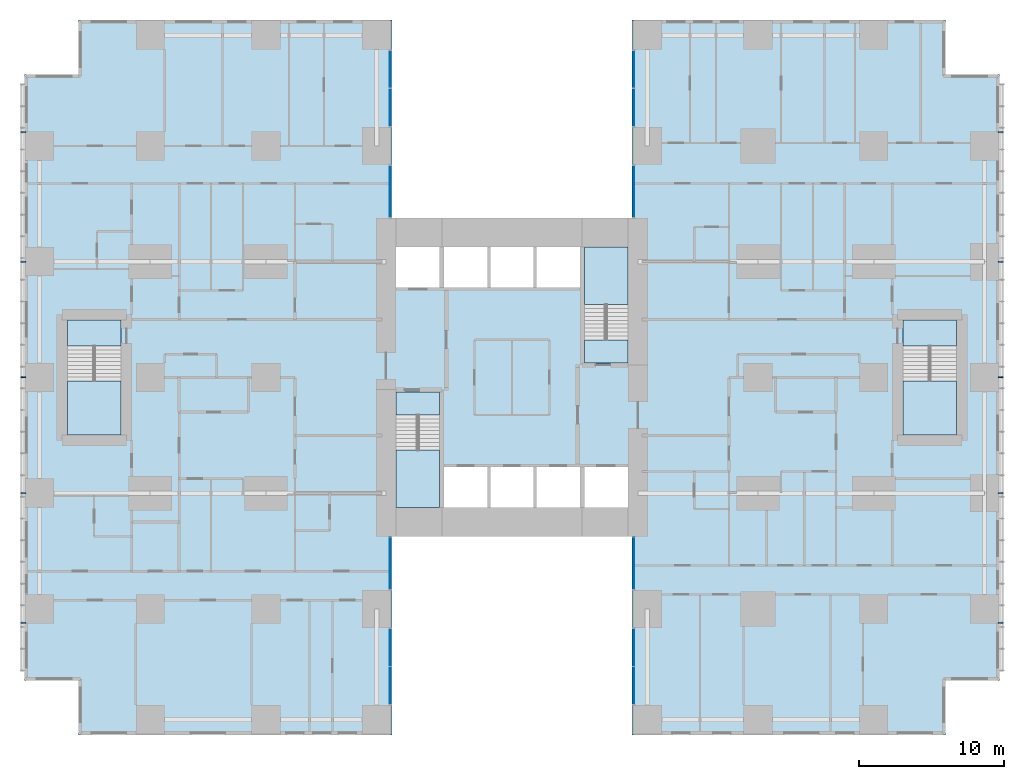
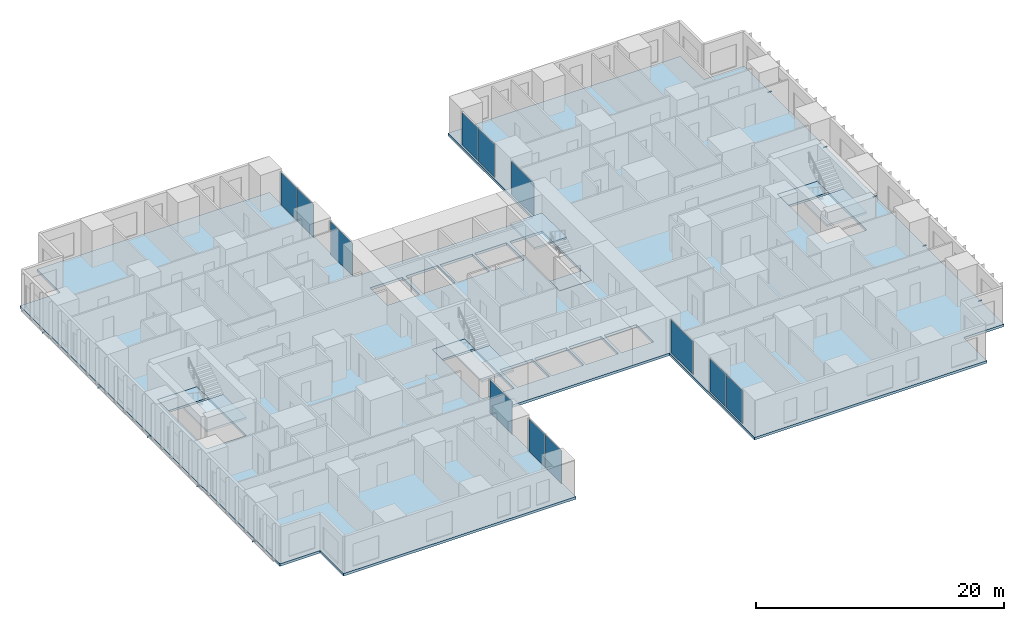
# One storey, part 7 of 20: 12 plates, 10 members, 9 slabs, 12 elements without a shape of their own.
"""IFC4 building model written with IfcOpenShell, lengths in metres."""

from ifc_helpers import new_model, si_unit, direction, frame, origin, origin_2d, place, context, subcontext, project, spatial, polyline, rectangle, hollow_rectangle, outline, extrude, material, layer, layer_set, material_profile, profile_set, type_object, element, aggregate, save


model = new_model("IFC4")

# Units and contexts
model_context = context("Model", 3, precision=1e-05, world=origin(), true_north=direction((0.0, 1.0)))
body_context = subcontext(model_context, "Body", "Model", "MODEL_VIEW")
ifc_project = project(units=[si_unit("LENGTHUNIT", "METRE"), si_unit("AREAUNIT", "SQUARE_METRE"), si_unit("VOLUMEUNIT", "CUBIC_METRE"), si_unit("PLANEANGLEUNIT", "RADIAN"), si_unit("MASSUNIT", "GRAM", prefix="KILO")], contexts=[model_context])

# Site, building, storey
site_placement = place(None, origin())
site = spatial("IfcSite", under=ifc_project, at=site_placement, CompositionType="ELEMENT")
building_placement = place(site_placement, origin())
building = spatial("IfcBuilding", under=site, at=building_placement, Name="Cleftline Residences", CompositionType="ELEMENT")
storey_placement = place(building_placement, frame((0.0, 0.0, 153.800048828125)))
storey = spatial("IfcBuildingStorey", under=building, at=storey_placement, Name="L40", CompositionType="ELEMENT", Elevation=153.800048828125)

# Members
ifc_material_1 = material(Name="Steel S355, hot-dip galvanised", Category="steel")
ifc_material_profile = material_profile(ifc_material_1, hollow_rectangle(XDim=0.10009765625, YDim=0.10009765625, WallThickness=0.008056640625, InnerFilletRadius=0.008056640625, OuterFilletRadius=0.011962890625, at=origin_2d()))
ifc_profile_set = profile_set([ifc_material_profile], Name="Steel S355, hot-dip galvanised")
member_type = type_object("IfcMemberType", Name="BAGUETTE BRACKET SHS 100X100X8", PredefinedType="USERDEFINED", material=ifc_profile_set)
for number, where, z_axis, x_axis, name in (
    (1, (66.60009765625, 7.050048828125, -0.150146484375), (1.0, 0.0, 0.0), (0.0, 1.0, 0.0), "Baguette bracket"),
    (2, (66.60009765625, 16.0, -0.150146484375), (1.0, 0.0, 0.0), (0.0, 1.0, 0.0), "Baguette bracket"),
    (3, (66.60009765625, 24.0, -0.150146484375), (1.0, 0.0, 0.0), (0.0, 1.0, 0.0), "Baguette bracket"),
    (4, (66.60009765625, 32.0, -0.150146484375), (1.0, 0.0, 0.0), (0.0, 1.0, 0.0), "Baguette bracket"),
    (5, (66.60009765625, 40.949951171875, -0.150146484375), (1.0, 0.0, 0.0), (0.0, 1.0, 0.0), "Baguette bracket"),
    (6, (-0.60009765625, 40.949951171875, -0.150146484375), (-1.0, 0.0, 0.0), (0.0, -1.0, 0.0), "Baguette bracket"),
    (7, (-0.60009765625, 32.0, -0.150146484375), (-1.0, 0.0, 0.0), (0.0, -1.0, 0.0), "Baguette bracket"),
    (8, (-0.60009765625, 24.0, -0.150146484375), (-1.0, 0.0, 0.0), (0.0, -1.0, 0.0), "Baguette bracket"),
    (9, (-0.60009765625, 16.0, -0.150146484375), (-1.0, 0.0, 0.0), (0.0, -1.0, 0.0), "Baguette bracket"),
    (10, (-0.60009765625, 7.050048828125, -0.150146484375), (-1.0, 0.0, 0.0), (0.0, -1.0, 0.0), "Baguette bracket"),
):
    element("IfcMember", number, at=place(storey_placement, frame(where, z_axis=z_axis, x_axis=x_axis)), inside=storey, type_object=member_type, Name=name, ObjectType="BAGUETTE BRACKET", PredefinedType="USERDEFINED", context=body_context, shape_type="SweptSolid", body=[
        extrude(hollow_rectangle(XDim=0.10009765625, YDim=0.10009765625, WallThickness=0.008056640625, InnerFilletRadius=0.008056640625, OuterFilletRadius=0.011962890625, at=origin_2d()), origin(), (0.0, 0.0, 1.0), 0.349853515625),
    ])

# Curtain wall, plates
ifc_material_2 = material(Name="Aluminium framed curtain wall", Category="aluminium")
ifc_layer_1 = layer(ifc_material_2, 0.199951171875)
ifc_layer_set_1 = layer_set([ifc_layer_1], Name="CW1 CLEFT GLAZING")
curtain_wall_type = type_object("IfcCurtainWallType", Name="CW1 CLEFT GLAZING", PredefinedType="NOTDEFINED", material=ifc_layer_set_1)
curtain_wall_1_placement = place(storey_placement, origin())
curtain_wall_1 = element("IfcCurtainWall", 11, at=curtain_wall_1_placement, inside=storey, type_object=curtain_wall_type, Name="Curtain wall CW1", PredefinedType="NOTDEFINED")
ifc_material_3 = material(Name="Laminated clear glass", Category="glass")
ifc_layer_2 = layer(ifc_material_3, 0.028076171875)
ifc_layer_set_2 = layer_set([ifc_layer_2], Name="CW1 GLASS PANEL")
plate_type = type_object("IfcPlateType", Name="CW1 GLASS PANEL", PredefinedType="CURTAIN_PANEL", material=ifc_layer_set_2)
plate_1_placement = place(storey_placement, frame((24.574951171875, 2.702392578125, 0.06005859375), z_axis=(0.0, 0.0, 1.0), x_axis=(0.0, 1.0, 0.0)))
plate_1 = element("IfcPlate", 12, at=plate_1_placement, type_object=plate_type, Name="CW1 panel 1.1", PredefinedType="CURTAIN_PANEL", context=body_context, shape_type="SweptSolid", body=[
    extrude(rectangle(XDim=2.5849609375, YDim=0.028076171875, at=origin_2d()), origin(), (0.0, 0.0, 1.0), 3.22998046875),
])
plate_2_placement = place(storey_placement, frame((24.574951171875, 5.347412109375, 0.06005859375), z_axis=(0.0, 0.0, 1.0), x_axis=(0.0, 1.0, 0.0)))
plate_2 = element("IfcPlate", 13, at=plate_2_placement, type_object=plate_type, Name="CW1 panel 2.1", PredefinedType="CURTAIN_PANEL", context=body_context, shape_type="SweptSolid", body=[
    extrude(rectangle(XDim=2.5849609375, YDim=0.028076171875, at=origin_2d()), origin(), (0.0, 0.0, 1.0), 3.22998046875),
])
aggregate(curtain_wall_1, [plate_1, plate_2])

# Curtain wall, plate
curtain_wall_2_placement = place(storey_placement, origin())
curtain_wall_2 = element("IfcCurtainWall", 14, at=curtain_wall_2_placement, inside=storey, type_object=curtain_wall_type, Name="Curtain wall CW1", PredefinedType="NOTDEFINED")
plate_3_placement = place(storey_placement, frame((24.574951171875, 11.14990234375, 0.06005859375), z_axis=(0.0, 0.0, 1.0), x_axis=(0.0, 1.0, 0.0)))
plate_3 = element("IfcPlate", 15, at=plate_3_placement, type_object=plate_type, Name="CW1 panel 1.1", PredefinedType="CURTAIN_PANEL", context=body_context, shape_type="SweptSolid", body=[
    extrude(rectangle(XDim=3.580078125, YDim=0.028076171875, at=origin_2d()), origin(), (0.0, 0.0, 1.0), 3.22998046875),
])
aggregate(curtain_wall_2, [plate_3])

curtain_wall_3_placement = place(storey_placement, origin())
curtain_wall_3 = element("IfcCurtainWall", 16, at=curtain_wall_3_placement, inside=storey, type_object=curtain_wall_type, Name="Curtain wall CW1", PredefinedType="NOTDEFINED")
plate_4_placement = place(storey_placement, frame((41.425048828125, 11.14990234375, 0.06005859375), z_axis=(0.0, 0.0, 1.0), x_axis=(0.0, -1.0, 0.0)))
plate_4 = element("IfcPlate", 17, at=plate_4_placement, type_object=plate_type, Name="CW1 panel 1.1", PredefinedType="CURTAIN_PANEL", context=body_context, shape_type="SweptSolid", body=[
    extrude(rectangle(XDim=3.580078125, YDim=0.028076171875, at=origin_2d()), origin(), (0.0, 0.0, 1.0), 3.22998046875),
])
aggregate(curtain_wall_3, [plate_4])

# Curtain wall, plates
curtain_wall_4_placement = place(storey_placement, origin())
curtain_wall_4 = element("IfcCurtainWall", 18, at=curtain_wall_4_placement, inside=storey, type_object=curtain_wall_type, Name="Curtain wall CW1", PredefinedType="NOTDEFINED")
plate_5_placement = place(storey_placement, frame((41.425048828125, 5.347412109375, 0.06005859375), z_axis=(0.0, 0.0, 1.0), x_axis=(0.0, -1.0, 0.0)))
plate_5 = element("IfcPlate", 19, at=plate_5_placement, type_object=plate_type, Name="CW1 panel 1.1", PredefinedType="CURTAIN_PANEL", context=body_context, shape_type="SweptSolid", body=[
    extrude(rectangle(XDim=2.5849609375, YDim=0.028076171875, at=origin_2d()), origin(), (0.0, 0.0, 1.0), 3.22998046875),
])
plate_6_placement = place(storey_placement, frame((41.425048828125, 2.702392578125, 0.06005859375), z_axis=(0.0, 0.0, 1.0), x_axis=(0.0, -1.0, 0.0)))
plate_6 = element("IfcPlate", 20, at=plate_6_placement, type_object=plate_type, Name="CW1 panel 2.1", PredefinedType="CURTAIN_PANEL", context=body_context, shape_type="SweptSolid", body=[
    extrude(rectangle(XDim=2.5849609375, YDim=0.028076171875, at=origin_2d()), origin(), (0.0, 0.0, 1.0), 3.22998046875),
])
aggregate(curtain_wall_4, [plate_5, plate_6])

curtain_wall_5_placement = place(storey_placement, origin())
curtain_wall_5 = element("IfcCurtainWall", 21, at=curtain_wall_5_placement, inside=storey, type_object=curtain_wall_type, Name="Curtain wall CW1", PredefinedType="NOTDEFINED")
plate_7_placement = place(storey_placement, frame((41.425048828125, 45.297607421875, 0.06005859375), z_axis=(0.0, 0.0, 1.0), x_axis=(0.0, -1.0, 0.0)))
plate_7 = element("IfcPlate", 22, at=plate_7_placement, type_object=plate_type, Name="CW1 panel 1.1", PredefinedType="CURTAIN_PANEL", context=body_context, shape_type="SweptSolid", body=[
    extrude(rectangle(XDim=2.5849609375, YDim=0.028076171875, at=origin_2d()), origin(), (0.0, 0.0, 1.0), 3.22998046875),
])
plate_8_placement = place(storey_placement, frame((41.425048828125, 42.652587890625, 0.06005859375), z_axis=(0.0, 0.0, 1.0), x_axis=(0.0, -1.0, 0.0)))
plate_8 = element("IfcPlate", 23, at=plate_8_placement, type_object=plate_type, Name="CW1 panel 2.1", PredefinedType="CURTAIN_PANEL", context=body_context, shape_type="SweptSolid", body=[
    extrude(rectangle(XDim=2.5849609375, YDim=0.028076171875, at=origin_2d()), origin(), (0.0, 0.0, 1.0), 3.22998046875),
])
aggregate(curtain_wall_5, [plate_7, plate_8])

# Curtain wall, plate
curtain_wall_6_placement = place(storey_placement, origin())
curtain_wall_6 = element("IfcCurtainWall", 24, at=curtain_wall_6_placement, inside=storey, type_object=curtain_wall_type, Name="Curtain wall CW1", PredefinedType="NOTDEFINED")
plate_9_placement = place(storey_placement, frame((41.425048828125, 36.85009765625, 0.06005859375), z_axis=(0.0, 0.0, 1.0), x_axis=(0.0, -1.0, 0.0)))
plate_9 = element("IfcPlate", 25, at=plate_9_placement, type_object=plate_type, Name="CW1 panel 1.1", PredefinedType="CURTAIN_PANEL", context=body_context, shape_type="SweptSolid", body=[
    extrude(rectangle(XDim=3.580078125, YDim=0.028076171875, at=origin_2d()), origin(), (0.0, 0.0, 1.0), 3.22998046875),
])
aggregate(curtain_wall_6, [plate_9])

curtain_wall_7_placement = place(storey_placement, origin())
curtain_wall_7 = element("IfcCurtainWall", 26, at=curtain_wall_7_placement, inside=storey, type_object=curtain_wall_type, Name="Curtain wall CW1", PredefinedType="NOTDEFINED")
plate_10_placement = place(storey_placement, frame((24.574951171875, 36.85009765625, 0.06005859375), z_axis=(0.0, 0.0, 1.0), x_axis=(0.0, 1.0, 0.0)))
plate_10 = element("IfcPlate", 27, at=plate_10_placement, type_object=plate_type, Name="CW1 panel 1.1", PredefinedType="CURTAIN_PANEL", context=body_context, shape_type="SweptSolid", body=[
    extrude(rectangle(XDim=3.580078125, YDim=0.028076171875, at=origin_2d()), origin(), (0.0, 0.0, 1.0), 3.22998046875),
])
aggregate(curtain_wall_7, [plate_10])

# Curtain wall, plates
curtain_wall_8_placement = place(storey_placement, origin())
curtain_wall_8 = element("IfcCurtainWall", 28, at=curtain_wall_8_placement, inside=storey, type_object=curtain_wall_type, Name="Curtain wall CW1", PredefinedType="NOTDEFINED")
plate_11_placement = place(storey_placement, frame((24.574951171875, 42.652587890625, 0.06005859375), z_axis=(0.0, 0.0, 1.0), x_axis=(0.0, 1.0, 0.0)))
plate_11 = element("IfcPlate", 29, at=plate_11_placement, type_object=plate_type, Name="CW1 panel 1.1", PredefinedType="CURTAIN_PANEL", context=body_context, shape_type="SweptSolid", body=[
    extrude(rectangle(XDim=2.5849609375, YDim=0.028076171875, at=origin_2d()), origin(), (0.0, 0.0, 1.0), 3.22998046875),
])
plate_12_placement = place(storey_placement, frame((24.574951171875, 45.297607421875, 0.06005859375), z_axis=(0.0, 0.0, 1.0), x_axis=(0.0, 1.0, 0.0)))
plate_12 = element("IfcPlate", 30, at=plate_12_placement, type_object=plate_type, Name="CW1 panel 2.1", PredefinedType="CURTAIN_PANEL", context=body_context, shape_type="SweptSolid", body=[
    extrude(rectangle(XDim=2.5849609375, YDim=0.028076171875, at=origin_2d()), origin(), (0.0, 0.0, 1.0), 3.22998046875),
])
aggregate(curtain_wall_8, [plate_11, plate_12])

# Slab
ifc_material_4 = material(Name="Concrete B45", Category="concrete")
ifc_layer_3 = layer(ifc_material_4, 0.25)
ifc_layer_set_3 = layer_set([ifc_layer_3], Name="FLOOR SLAB 250")
slab_type_1 = type_object("IfcSlabType", Name="FLOOR SLAB 250", PredefinedType="FLOOR", material=ifc_layer_set_3)
slab_1_placement = place(storey_placement, frame((0.0, 0.0, -0.25)))
element("IfcSlab", 31, at=slab_1_placement, inside=storey, type_object=slab_type_1, Name="Floor slab L40", PredefinedType="FLOOR", context=body_context, shape_type="SweptSolid", body=[
    extrude(outline(polyline([(24.699951171875, 13.0), (41.300048828125, 13.0), (41.300048828125, -0.699951171875), (62.949951171875, -0.699951171875), (62.949951171875, 3.050048828125), (66.699951171875, 3.050048828125), (66.699951171875, 44.949951171875), (62.949951171875, 44.949951171875), (62.949951171875, 48.699951171875), (41.300048828125, 48.699951171875), (41.300048828125, 35.0), (24.699951171875, 35.0), (24.699951171875, 48.699951171875), (3.050048828125, 48.699951171875), (3.050048828125, 44.949951171875), (-0.699951171875, 44.949951171875), (-0.699951171875, 3.050048828125), (3.050048828125, 3.050048828125), (3.050048828125, -0.699951171875), (24.699951171875, -0.699951171875), (24.699951171875, 13.0)]), holes=[polyline([(28.0, 15.0), (28.0, 23.0), (25.0, 23.0), (25.0, 15.0), (28.0, 15.0)]), polyline([(41.0, 25.0), (41.0, 33.0), (38.0, 33.0), (38.0, 25.0), (41.0, 25.0)]), polyline([(28.0, 30.199951171875), (28.0, 33.0), (25.0, 33.0), (25.0, 30.199951171875), (28.0, 30.199951171875)]), polyline([(41.0, 15.0), (41.0, 17.800048828125), (38.0, 17.800048828125), (38.0, 15.0), (41.0, 15.0)]), polyline([(31.300048828125, 15.0), (31.300048828125, 17.800048828125), (28.300048828125, 17.800048828125), (28.300048828125, 15.0), (31.300048828125, 15.0)]), polyline([(34.5, 15.0), (34.5, 17.800048828125), (31.5, 17.800048828125), (31.5, 15.0), (34.5, 15.0)]), polyline([(37.699951171875, 15.0), (37.699951171875, 17.800048828125), (34.699951171875, 17.800048828125), (34.699951171875, 15.0), (37.699951171875, 15.0)]), polyline([(31.300048828125, 30.199951171875), (31.300048828125, 33.0), (28.300048828125, 33.0), (28.300048828125, 30.199951171875), (31.300048828125, 30.199951171875)]), polyline([(34.5, 30.199951171875), (34.5, 33.0), (31.5, 33.0), (31.5, 30.199951171875), (34.5, 30.199951171875)]), polyline([(37.699951171875, 30.199951171875), (37.699951171875, 33.0), (34.699951171875, 33.0), (34.699951171875, 30.199951171875), (37.699951171875, 30.199951171875)]), polyline([(63.72509765625, 20.02490234375), (63.72509765625, 27.97509765625), (60.02490234375, 27.97509765625), (60.02490234375, 20.02490234375), (63.72509765625, 20.02490234375)]), polyline([(5.97509765625, 20.02490234375), (5.97509765625, 27.97509765625), (2.27490234375, 27.97509765625), (2.27490234375, 20.02490234375), (5.97509765625, 20.02490234375)])]), origin(), (0.0, 0.0, 1.0), 0.25),
])

# Stair, slabs
ifc_material_5 = material(Name="Concrete B45, stone treads", Category="masonry")
stair_type_1 = type_object("IfcStairType", Name="STAIR A 1450 WIDE 180 RISER", PredefinedType="HALF_TURN_STAIR", material=ifc_material_5)
stair_1_placement = place(storey_placement, origin())
stair_1 = element("IfcStair", 32, at=stair_1_placement, inside=storey, type_object=stair_type_1, Name="Stair A L40", PredefinedType="HALF_TURN_STAIR")
ifc_material_6 = material(Name="Concrete B45", Category="concrete")
ifc_layer_4 = layer(ifc_material_6, 0.199951171875)
ifc_layer_set_4 = layer_set([ifc_layer_4], Name="STAIR LANDING 200")
slab_type_2 = type_object("IfcSlabType", Name="STAIR LANDING 200", PredefinedType="LANDING", material=ifc_layer_set_4)
slab_2_placement = place(storey_placement, frame((0.0, 0.0, -0.199951171875)))
slab_2 = element("IfcSlab", 33, at=slab_2_placement, type_object=slab_type_2, Name="ST-A landing 1", PredefinedType="LANDING", context=body_context, shape_type="SweptSolid", body=[
    extrude(outline(polyline([(25.0, 21.39990234375), (28.0, 21.39990234375), (28.0, 23.0), (25.0, 23.0), (25.0, 21.39990234375)])), origin(), (0.0, 0.0, 1.0), 0.199951171875),
])
slab_3_placement = place(storey_placement, frame((0.0, 0.0, 1.599853515625)))
slab_3 = element("IfcSlab", 34, at=slab_3_placement, type_object=slab_type_2, Name="ST-A landing 2", PredefinedType="LANDING", context=body_context, shape_type="SweptSolid", body=[
    extrude(outline(polyline([(25.0, 15.0), (28.0, 15.0), (28.0, 18.969970703125), (25.0, 18.969970703125), (25.0, 15.0)])), origin(), (0.0, 0.0, 1.0), 0.2001953125),
])
aggregate(stair_1, [slab_2, slab_3])

ifc_material_7 = material(Name="Concrete B45, stone treads", Category="masonry")
stair_type_2 = type_object("IfcStairType", Name="STAIR B 1450 WIDE 180 RISER", PredefinedType="HALF_TURN_STAIR", material=ifc_material_7)
stair_2_placement = place(storey_placement, origin())
stair_2 = element("IfcStair", 35, at=stair_2_placement, inside=storey, type_object=stair_type_2, Name="Stair B L40", PredefinedType="HALF_TURN_STAIR")
slab_4_placement = place(storey_placement, frame((0.0, 0.0, -0.199951171875)))
slab_4 = element("IfcSlab", 36, at=slab_4_placement, type_object=slab_type_2, Name="ST-B landing 1", PredefinedType="LANDING", context=body_context, shape_type="SweptSolid", body=[
    extrude(outline(polyline([(38.0, 25.0), (41.0, 25.0), (41.0, 26.60009765625), (38.0, 26.60009765625), (38.0, 25.0)])), origin(), (0.0, 0.0, 1.0), 0.199951171875),
])
slab_5_placement = place(storey_placement, frame((0.0, 0.0, 1.599853515625)))
slab_5 = element("IfcSlab", 37, at=slab_5_placement, type_object=slab_type_2, Name="ST-B landing 2", PredefinedType="LANDING", context=body_context, shape_type="SweptSolid", body=[
    extrude(outline(polyline([(38.0, 29.030029296875), (41.0, 29.030029296875), (41.0, 33.0), (38.0, 33.0), (38.0, 29.030029296875)])), origin(), (0.0, 0.0, 1.0), 0.2001953125),
])
aggregate(stair_2, [slab_4, slab_5])

ifc_material_8 = material(Name="Concrete B45, stone treads", Category="masonry")
stair_type_3 = type_object("IfcStairType", Name="STAIR E 1800 WIDE 180 RISER", PredefinedType="HALF_TURN_STAIR", material=ifc_material_8)
stair_3_placement = place(storey_placement, origin())
stair_3 = element("IfcStair", 38, at=stair_3_placement, inside=storey, type_object=stair_type_3, Name="Stair E L40", PredefinedType="HALF_TURN_STAIR")
slab_6_placement = place(storey_placement, frame((0.0, 0.0, -0.199951171875)))
slab_6 = element("IfcSlab", 39, at=slab_6_placement, type_object=slab_type_2, Name="ST-E landing 1", PredefinedType="LANDING", context=body_context, shape_type="SweptSolid", body=[
    extrude(outline(polyline([(60.02490234375, 26.175048828125), (63.72509765625, 26.175048828125), (63.72509765625, 27.97509765625), (60.02490234375, 27.97509765625), (60.02490234375, 26.175048828125)])), origin(), (0.0, 0.0, 1.0), 0.199951171875),
])
slab_7_placement = place(storey_placement, frame((0.0, 0.0, 1.599853515625)))
slab_7 = element("IfcSlab", 40, at=slab_7_placement, type_object=slab_type_2, Name="ST-E landing 2", PredefinedType="LANDING", context=body_context, shape_type="SweptSolid", body=[
    extrude(outline(polyline([(60.02490234375, 20.02490234375), (63.72509765625, 20.02490234375), (63.72509765625, 23.7451171875), (60.02490234375, 23.7451171875), (60.02490234375, 20.02490234375)])), origin(), (0.0, 0.0, 1.0), 0.2001953125),
])
aggregate(stair_3, [slab_6, slab_7])

ifc_material_9 = material(Name="Concrete B45, stone treads", Category="masonry")
stair_type_4 = type_object("IfcStairType", Name="STAIR W 1800 WIDE 180 RISER", PredefinedType="HALF_TURN_STAIR", material=ifc_material_9)
stair_4_placement = place(storey_placement, origin())
stair_4 = element("IfcStair", 41, at=stair_4_placement, inside=storey, type_object=stair_type_4, Name="Stair W L40", PredefinedType="HALF_TURN_STAIR")
slab_8_placement = place(storey_placement, frame((0.0, 0.0, -0.199951171875)))
slab_8 = element("IfcSlab", 42, at=slab_8_placement, type_object=slab_type_2, Name="ST-W landing 1", PredefinedType="LANDING", context=body_context, shape_type="SweptSolid", body=[
    extrude(outline(polyline([(2.27490234375, 26.175048828125), (5.97509765625, 26.175048828125), (5.97509765625, 27.97509765625), (2.27490234375, 27.97509765625), (2.27490234375, 26.175048828125)])), origin(), (0.0, 0.0, 1.0), 0.199951171875),
])
slab_9_placement = place(storey_placement, frame((0.0, 0.0, 1.599853515625)))
slab_9 = element("IfcSlab", 43, at=slab_9_placement, type_object=slab_type_2, Name="ST-W landing 2", PredefinedType="LANDING", context=body_context, shape_type="SweptSolid", body=[
    extrude(outline(polyline([(2.27490234375, 20.02490234375), (5.97509765625, 20.02490234375), (5.97509765625, 23.7451171875), (2.27490234375, 23.7451171875), (2.27490234375, 20.02490234375)])), origin(), (0.0, 0.0, 1.0), 0.2001953125),
])
aggregate(stair_4, [slab_8, slab_9])

save(model, "model.ifc")
